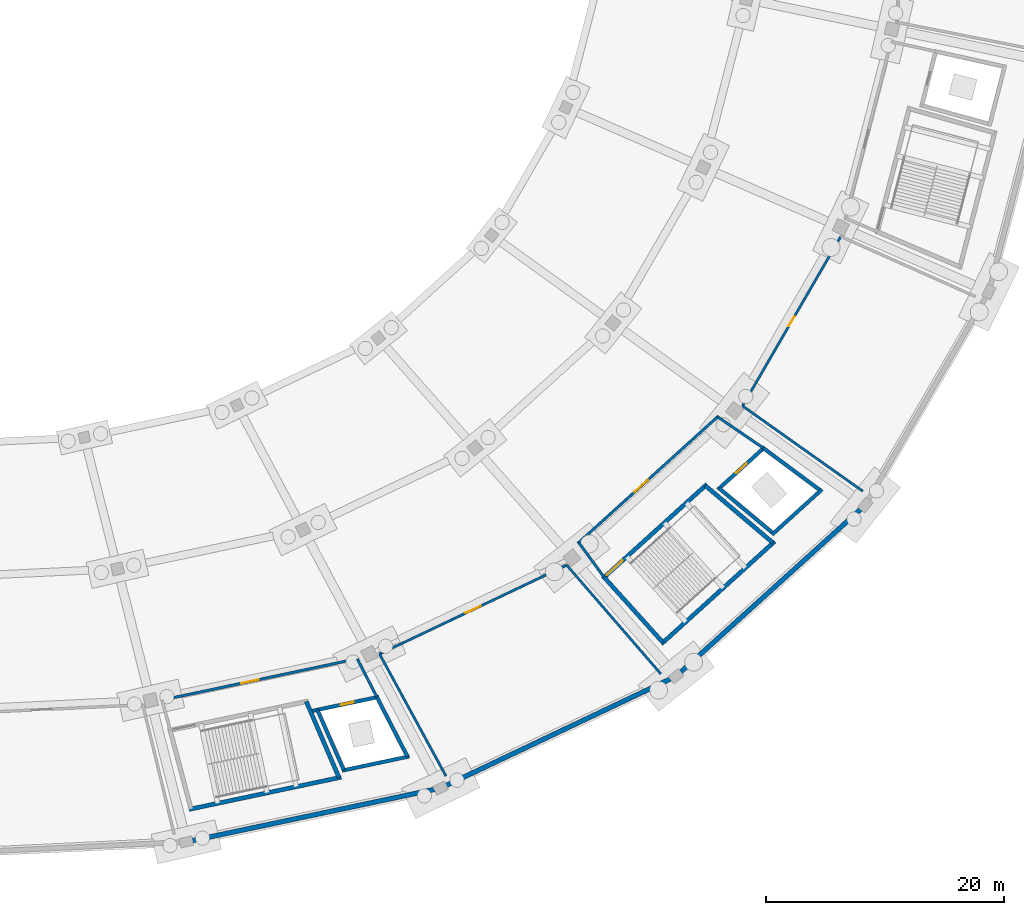
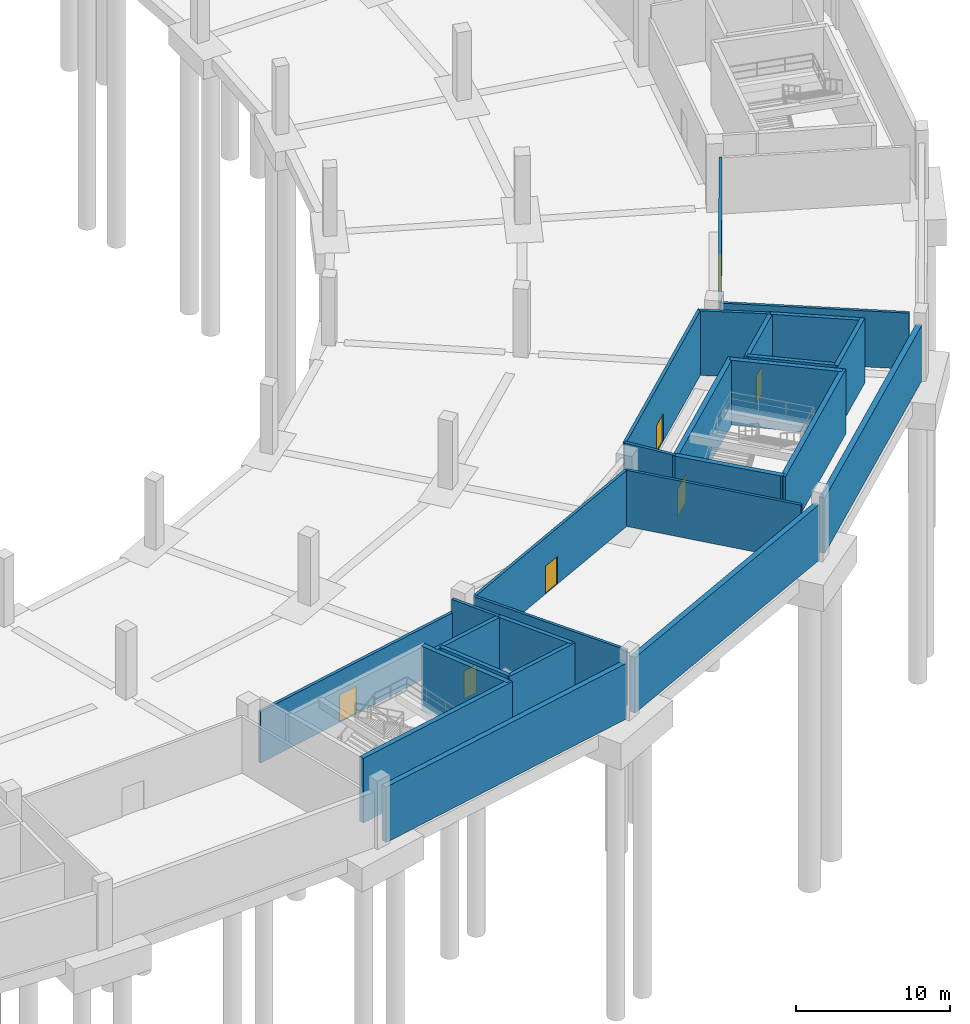
# One storey, part 13 of 49: 27 walls, 7 doors, 7 openings.
"""IFC4 building model written with IfcOpenShell, lengths in metres."""

import ifcopenshell
import ifcopenshell.guid

model = None  # the IFC model being written
_history = None  # IfcOwnerHistory: only IFC2X3 demands one
_inside = {}  # id of a spatial element -> (the spatial element, [elements in it])
_under = {}  # id of a project, library or spatial element -> (it, [spatial elements below it])
_declared = {}  # id of a project -> (the project, [libraries it declares])
_typed = {}  # id of a type object -> (the type object, [elements of that type])
_made_of = {}  # id of a material, layer set ... -> (it, [elements and type objects made of it])


def new_model(schema):
    """Start an empty IFC model of exactly this schema.

    Asked for "IFC4X3", IfcOpenShell would pick the latest addendum, in which some entities
    have other attributes; the version numbers below select the first issue.
    IFC2X3 requires an IfcOwnerHistory on every rooted entity: one is made here for all.
    """
    global model, _history
    if schema == "IFC4X3":
        model = ifcopenshell.file(schema_version=(4, 3, 0, 0))
    else:
        model = ifcopenshell.file(schema=schema)
    _inside.clear()
    _under.clear()
    _declared.clear()
    _typed.clear()
    _made_of.clear()
    _history = None
    if model.schema == "IFC2X3":
        org = make("IfcOrganization", Name="unknown")
        user = make(
            "IfcPersonAndOrganization",
            ThePerson=make("IfcPerson", FamilyName="unknown"),
            TheOrganization=org,
        )
        app = make(
            "IfcApplication",
            ApplicationDeveloper=org,
            Version="unknown",
            ApplicationFullName="unknown",
            ApplicationIdentifier="unknown",
        )
        _history = make(
            "IfcOwnerHistory",
            OwningUser=user,
            OwningApplication=app,
            ChangeAction="ADDED",
            CreationDate=0,
        )
    return model


def make(cls, **values):
    """One entity of the class cls with the attributes given. An attribute that is None is left unset."""
    return model.create_entity(
        cls, **{name: value for name, value in values.items() if value is not None}
    )


def rooted(cls, **values):
    """An entity with a GlobalId (a new one), such as an element, a storey or a relation."""
    return make(cls, GlobalId=ifcopenshell.guid.new(), OwnerHistory=_history, **values)


def si_unit(unit_type, name, prefix=None):
    """IfcSIUnit, for example si_unit("LENGTHUNIT", "METRE", prefix="MILLI")."""
    return make("IfcSIUnit", UnitType=unit_type, Prefix=prefix, Name=name)


def assignment(units):
    """IfcUnitAssignment: the units of a project."""
    return None if units is None else make("IfcUnitAssignment", Units=units)


def point(xyz):
    """IfcCartesianPoint."""
    return None if xyz is None else make("IfcCartesianPoint", Coordinates=xyz)


def direction(xyz):
    """IfcDirection."""
    return None if xyz is None else make("IfcDirection", DirectionRatios=xyz)


def frame(location, z_axis=None, x_axis=None):
    """IfcAxis2Placement3D, a coordinate frame: its origin and axes. An axis left out is left unset."""
    return make(
        "IfcAxis2Placement3D",
        Location=point(location),
        Axis=direction(z_axis),
        RefDirection=direction(x_axis),
    )


def frame_2d(location, x_axis=None):
    """IfcAxis2Placement2D, a coordinate frame in the plane: its origin and x axis."""
    return make(
        "IfcAxis2Placement2D", Location=point(location), RefDirection=direction(x_axis)
    )


def origin():
    """The frame at (0, 0, 0) with its axes left unset."""
    return frame((0.0, 0.0, 0.0))


def place(relative_to, where):
    """IfcLocalPlacement: puts the frame where relative to a parent placement (None: the world)."""
    return make(
        "IfcLocalPlacement", PlacementRelTo=relative_to, RelativePlacement=where
    )


def context(
    kind, dimensions, precision=None, world=None, true_north=None, identifier=None
):
    """IfcGeometricRepresentationContext, for example the 3D "Model" context."""
    return make(
        "IfcGeometricRepresentationContext",
        ContextIdentifier=identifier,
        ContextType=kind,
        CoordinateSpaceDimension=dimensions,
        Precision=precision,
        WorldCoordinateSystem=world,
        TrueNorth=true_north,
    )


def subcontext(parent, identifier, kind, view, scale=None):
    """IfcGeometricRepresentationSubContext, for example "Body" below "Model"."""
    return make(
        "IfcGeometricRepresentationSubContext",
        ContextIdentifier=identifier,
        ContextType=kind,
        ParentContext=parent,
        TargetScale=scale,
        TargetView=view,
    )


def project(units=None, contexts=None):
    """IfcProject with its units and contexts."""
    return rooted(
        "IfcProject",
        Name="project",
        RepresentationContexts=contexts,
        UnitsInContext=assignment(units),
    )


def spatial(cls, under=None, at=None, **own):
    """A site, building, storey or space (cls), placed at a placement, below another one or the project."""
    s = rooted(cls, ObjectPlacement=at, **own)
    if under is not None:
        _under.setdefault(under.id(), (under, []))[1].append(s)
    return s


def profile(cls, at=None, kind="AREA", **sizes):
    """A parametric profile (cls). Its sizes go by their IFC names, for example OverallWidth=200.0."""
    return make(cls, ProfileType=kind, Position=at, **sizes)


def rectangle(**sizes):
    """IfcRectangleProfileDef."""
    return profile("IfcRectangleProfileDef", **sizes)


def extrude(swept, where, along, depth):
    """IfcExtrudedAreaSolid: the profile swept, set in the frame where, extruded along a direction by depth."""
    return make(
        "IfcExtrudedAreaSolid",
        SweptArea=swept,
        Position=where,
        ExtrudedDirection=direction(along),
        Depth=depth,
    )


def shape(context_of_items, identifier, shape_type, items):
    """IfcShapeRepresentation: the items that make up one representation, for example the "Body"."""
    return make(
        "IfcShapeRepresentation",
        ContextOfItems=context_of_items,
        RepresentationIdentifier=identifier,
        RepresentationType=shape_type,
        Items=items,
    )


def material(Name=None, Category=None):
    """IfcMaterial."""
    return make("IfcMaterial", Name=Name, Category=Category)


def layer(
    of_material, thickness, ventilated=None, Name=None, Category=None, Priority=None
):
    """IfcMaterialLayer: one layer of a wall or slab, of a material (None: an air gap)."""
    return make(
        "IfcMaterialLayer",
        Material=of_material,
        LayerThickness=thickness,
        IsVentilated=ventilated,
        Name=Name,
        Category=Category,
        Priority=Priority,
    )


def layer_set(layers, Name=None):
    """IfcMaterialLayerSet."""
    return make("IfcMaterialLayerSet", MaterialLayers=layers, LayerSetName=Name)


def made_of(thing, what):
    """Note that an element or type object is made of a material, layer set ...; save() writes the relation."""
    if what is not None:
        _made_of.setdefault(what.id(), (what, []))[1].append(thing)
    return thing


def type_object(cls, material=None, **own):
    """A type object (cls), such as IfcWallType, which elements share."""
    return made_of(rooted(cls, **own), material)


def element(
    cls,
    number,
    at=None,
    inside=None,
    cuts=None,
    type_object=None,
    material=None,
    context=None,
    identifier="Body",
    shape_type=None,
    held_by="IfcProductDefinitionShape",
    body=None,
    shapes=None,
    **own,
):
    """One element of the class cls, such as IfcWall. Its Tag is "e" and its number.

    at: its placement. inside: the storey or other place that contains it. cuts: it is an
    opening in that element (IfcRelVoidsElement). A single representation is given by context,
    identifier, shape_type and body (its items); several are given by shapes. held_by: the class
    of the entity that holds the representations. save() writes the other relations.
    """
    e = rooted(cls, Tag="e%d" % number, ObjectPlacement=at, **own)
    if body is not None:
        shapes = [shape(context, identifier, shape_type, body)]
    if shapes is not None:
        e.Representation = make(held_by, Representations=shapes)
    if inside is not None:
        _inside.setdefault(inside.id(), (inside, []))[1].append(e)
    if cuts is not None:
        rooted(
            "IfcRelVoidsElement", RelatingBuildingElement=cuts, RelatedOpeningElement=e
        )
    if type_object is not None:
        _typed.setdefault(type_object.id(), (type_object, []))[1].append(e)
    return made_of(e, material)


def fill(opening, filler):
    """IfcRelFillsElement: the door or window that sits in an opening."""
    return rooted(
        "IfcRelFillsElement",
        RelatingOpeningElement=opening,
        RelatedBuildingElement=filler,
    )


def aggregate(whole, parts):
    """IfcRelAggregates: a whole, such as a stair, and the parts it consists of."""
    return rooted("IfcRelAggregates", RelatingObject=whole, RelatedObjects=parts)


def save(model, path):
    """Write the relations noted so far, then the file.

    IfcRelAggregates (storeys below a building ...), IfcRelContainedInSpatialStructure (elements
    in a storey), IfcRelDefinesByType, IfcRelAssociatesMaterial and IfcRelDeclares: one each for
    every whole, place, type object, material and project.
    """
    for whole, parts in _under.values():
        aggregate(whole, parts)
    for where, things in _inside.values():
        rooted(
            "IfcRelContainedInSpatialStructure",
            RelatedElements=things,
            RelatingStructure=where,
        )
    for kind, things in _typed.values():
        rooted("IfcRelDefinesByType", RelatedObjects=things, RelatingType=kind)
    for what, things in _made_of.values():
        rooted("IfcRelAssociatesMaterial", RelatedObjects=things, RelatingMaterial=what)
    for by, libraries in _declared.values():
        rooted("IfcRelDeclares", RelatingContext=by, RelatedDefinitions=libraries)
    model.write(path)


model = new_model("IFC4")

# Units and contexts
model_context = context("Model", 3, precision=1e-05, world=origin(), true_north=direction((0.0, 1.0)))
body_context = subcontext(model_context, "Body", "Model", "MODEL_VIEW")
ifc_project = project(units=[si_unit("LENGTHUNIT", "METRE"), si_unit("AREAUNIT", "SQUARE_METRE"), si_unit("VOLUMEUNIT", "CUBIC_METRE"), si_unit("PLANEANGLEUNIT", "RADIAN"), si_unit("MASSUNIT", "GRAM", prefix="KILO")], contexts=[model_context])

# Site, building, storey
site_placement = place(None, origin())
site = spatial("IfcSite", under=ifc_project, at=site_placement, CompositionType="ELEMENT")
building_placement = place(site_placement, origin())
building = spatial("IfcBuilding", under=site, at=building_placement, Name="Kazemori Nagisa Stadium", CompositionType="ELEMENT")
storey_placement = place(building_placement, frame((0.0, 0.0, -5.43994140625)))
storey = spatial("IfcBuildingStorey", under=building, at=storey_placement, Name="B1", CompositionType="ELEMENT", Elevation=-5.43994140625)

# Walls
ifc_material_1 = material(Name="Concrete C40/50 (Fc42)", Category="concrete")
ifc_layer_1 = layer(ifc_material_1, 0.39990234375, Name="Concrete C40/50 (Fc42)", Category="concrete")
ifc_layer_set_1 = layer_set([ifc_layer_1], Name="Concrete C40/50 (Fc42)")
wall_type_1 = type_object("IfcWallType", Name="Wall_W-B1-RET-400", PredefinedType="SOLIDWALL", material=ifc_layer_set_1)
wall_1_placement = place(storey_placement, frame((144.809326171875, 17.093994140625, 0.0), z_axis=(0.0, 0.0, 1.0), x_axis=(0.978345100851, 0.206980346028, 0.0)))
element("IfcWall", 1, at=wall_1_placement, inside=storey, type_object=wall_type_1, Name="Basement perimeter retaining wall B1-23", PredefinedType="SOLIDWALL", context=body_context, shape_type="SweptSolid", body=[
    extrude(rectangle(XDim=21.070068359375, YDim=0.39990234375, at=frame_2d((10.53515625, 0.0))), origin(), (0.0, 0.0, 1.0), 4.419921875),
])
wall_2_placement = place(storey_placement, frame((166.156982421875, 21.703125, 0.0), z_axis=(0.0, 0.0, 1.0), x_axis=(0.903214032263, 0.429190414528, 0.0)))
element("IfcWall", 2, at=wall_2_placement, inside=storey, type_object=wall_type_1, Name="Basement perimeter retaining wall B1-24", PredefinedType="SOLIDWALL", context=body_context, shape_type="SweptSolid", body=[
    extrude(rectangle(XDim=21.134033203125, YDim=0.39990234375, at=frame_2d((10.56689453125, 0.0))), origin(), (0.0, 0.0, 1.0), 4.419921875),
])
wall_3_placement = place(storey_placement, frame((185.88720703125, 31.202880859375, 0.0), z_axis=(0.0, 0.0, 1.0), x_axis=(0.741354093053, 0.671114080253, 0.0)))
element("IfcWall", 3, at=wall_3_placement, inside=storey, type_object=wall_type_1, Name="Basement perimeter retaining wall B1-25", PredefinedType="SOLIDWALL", context=body_context, shape_type="SweptSolid", body=[
    extrude(rectangle(XDim=20.66357421875, YDim=0.39990234375, at=frame_2d((10.331787109375, 0.0))), origin(), (0.0, 0.0, 1.0), 4.419921875),
])
ifc_layer_2 = layer(ifc_material_1, 0.35009765625, Name="Concrete C40/50 (Fc42)", Category="concrete")
ifc_layer_set_2 = layer_set([ifc_layer_2], Name="Concrete C40/50 (Fc42)")
wall_type_2 = type_object("IfcWallType", Name="Wall_W-CORE-350", PredefinedType="SHEAR", material=ifc_layer_set_2)
wall_4_placement = place(storey_placement, frame((144.650390625, 19.745849609375, 0.0), z_axis=(0.0, 0.0, 1.0), x_axis=(0.978345119536, 0.206980257705, 0.0)))
element("IfcWall", 4, at=wall_4_placement, inside=storey, type_object=wall_type_2, Name="Core stair rear shear wall ST06 B1", PredefinedType="SHEAR", context=body_context, shape_type="SweptSolid", body=[
    extrude(rectangle(XDim=13.06689453125, YDim=0.35009765625, at=frame_2d((6.533447265625, 0.0))), origin(), (0.0, 0.0, 1.0), 5.139892578125),
])
wall_5_placement = place(storey_placement, frame((154.5078125, 28.81396484375, 0.0), z_axis=(0.0, 0.0, 1.0), x_axis=(0.395453834155, -0.918485854574, 0.0)))
element("IfcWall", 5, at=wall_5_placement, inside=storey, type_object=wall_type_2, Name="Core stair right shear wall ST06 B1", PredefinedType="SHEAR", context=body_context, shape_type="SweptSolid", body=[
    extrude(rectangle(XDim=6.967529296875, YDim=0.35009765625, at=frame_2d((3.48388671875, 0.0))), origin(), (0.0, 0.0, 1.0), 5.139892578125),
])

# Wall, opening, door
wall_6_placement = place(storey_placement, frame((179.416748046875, 39.139892578125, 0.0), z_axis=(0.0, 0.0, 1.0), x_axis=(0.741348929385, 0.671119784315, 0.0)))
wall_6 = element("IfcWall", 6, at=wall_6_placement, inside=storey, type_object=wall_type_2, Name="Core stair front shear wall ST04 B1", PredefinedType="SHEAR", context=body_context, shape_type="SweptSolid", body=[
    extrude(rectangle(XDim=11.826416015625, YDim=0.35009765625, at=frame_2d((5.9130859375, 0.0))), origin(), (0.0, 0.0, 1.0), 5.139892578125),
])
opening_1_placement = place(wall_6_placement, frame((0.47509765625, 0.0, 0.0)))
opening_1 = element("IfcOpeningElement", 7, at=opening_1_placement, cuts=wall_6, Name="Opening D-ST-1800", PredefinedType="OPENING", context=body_context, shape_type="SweptSolid", body=[
    extrude(rectangle(XDim=1.800048828125, YDim=2.199951171875, at=frame_2d((0.89990234375, 1.10009765625))), frame((0.0, 0.18505859375, 0.0), z_axis=(0.0, -1.0, 0.0), x_axis=(1.0, 0.0, 0.0)), (0.0, 0.0, 1.0), 0.3701171875),
])
ifc_material_2 = material(Name="Galvanised steel sheet", Category="steel")
door_type_1 = type_object("IfcDoorType", Name="Door_D-ST-1800", OperationType="NOTDEFINED", PredefinedType="DOOR", material=ifc_material_2)
door_1_placement = place(opening_1_placement, frame((1.800048828125, 0.0, 0.0), z_axis=(0.0, 0.0, 1.0), x_axis=(-1.0, 0.0, 0.0)))
door_1 = element("IfcDoor", 8, at=door_1_placement, inside=storey, type_object=door_type_1, Name="Exit stair fire door ST04-B1", OperationType="SINGLE_SWING_RIGHT", OverallHeight=2.199951171875, OverallWidth=1.800048828125, PredefinedType="DOOR", context=body_context, shape_type="SweptSolid", body=[
    extrude(rectangle(XDim=1.800048828125, YDim=2.199951171875, at=frame_2d((0.89990234375, 1.10009765625))), frame((0.0, 0.02490234375, 0.0), z_axis=(0.0, -1.0, 0.0), x_axis=(1.0, 0.0, 0.0)), (0.0, 0.0, 1.0), 0.050048828125),
])
fill(opening_1, door_1)

# Walls
wall_7_placement = place(storey_placement, frame((184.361328125, 33.6533203125, 0.0), z_axis=(0.0, 0.0, 1.0), x_axis=(0.741351373721, 0.671117084183, 0.0)))
element("IfcWall", 9, at=wall_7_placement, inside=storey, type_object=wall_type_2, Name="Core stair rear shear wall ST04 B1", PredefinedType="SHEAR", context=body_context, shape_type="SweptSolid", body=[
    extrude(rectangle(XDim=12.830322265625, YDim=0.35009765625, at=frame_2d((6.4150390625, 0.0))), origin(), (0.0, 0.0, 1.0), 5.139892578125),
])
wall_8_placement = place(storey_placement, frame((179.54638671875, 39.25732421875, 0.0), z_axis=(0.0, 0.0, 1.0), x_axis=(0.669463145673, -0.742845270958, 0.0)))
element("IfcWall", 10, at=wall_8_placement, inside=storey, type_object=wall_type_2, Name="Core stair left shear wall ST04 B1", PredefinedType="SHEAR", context=body_context, shape_type="SweptSolid", body=[
    extrude(rectangle(XDim=7.385986328125, YDim=0.35009765625, at=frame_2d((3.69287109375, 0.0))), origin(), (0.0, 0.0, 1.0), 5.139892578125),
])
wall_9_placement = place(storey_placement, frame((188.0546875, 46.95947265625, 0.0), z_axis=(0.0, 0.0, 1.0), x_axis=(0.763422324031, -0.64589964791, 0.0)))
element("IfcWall", 11, at=wall_9_placement, inside=storey, type_object=wall_type_2, Name="Core stair right shear wall ST04 B1", PredefinedType="SHEAR", context=body_context, shape_type="SweptSolid", body=[
    extrude(rectangle(XDim=7.45166015625, YDim=0.35009765625, at=frame_2d((3.725830078125, 0.0))), origin(), (0.0, 0.0, 1.0), 5.139892578125),
])

# Wall, opening, door
ifc_material_3 = material(Name="Concrete C36/45 (Fc36)", Category="concrete")
ifc_layer_3 = layer(ifc_material_3, 0.219970703125, Name="Concrete C36/45 (Fc36)", Category="concrete")
ifc_layer_set_3 = layer_set([ifc_layer_3], Name="Concrete C36/45 (Fc36)")
wall_type_3 = type_object("IfcWallType", Name="Wall_W-LOBBY-220", PredefinedType="SOLIDWALL", material=ifc_layer_set_3)
wall_10_placement = place(storey_placement, frame((142.284423828125, 28.91357421875, 0.0), z_axis=(0.0, 0.0, 1.0), x_axis=(0.97834522483, 0.206979760008, 0.0)))
wall_10 = element("IfcWall", 12, at=wall_10_placement, inside=storey, type_object=wall_type_3, Name="Core lobby fire wall ST06 B1", PredefinedType="SOLIDWALL", context=body_context, shape_type="SweptSolid", body=[
    extrude(rectangle(XDim=16.98291015625, YDim=0.219970703125, at=frame_2d((8.491455078125, 0.0))), origin(), (0.0, 0.0, 1.0), 4.087890625),
])
opening_2_placement = place(wall_10_placement, frame((6.903076171875, 0.0, 0.0)))
opening_2 = element("IfcOpeningElement", 13, at=opening_2_placement, cuts=wall_10, Name="Opening D-FFL-1500", PredefinedType="OPENING", context=body_context, shape_type="SweptSolid", body=[
    extrude(rectangle(XDim=1.5, YDim=2.199951171875, at=frame_2d((0.75, 1.10009765625))), frame((0.0, 0.119873046875, 0.0), z_axis=(0.0, -1.0, 0.0), x_axis=(1.0, 0.0, 0.0)), (0.0, 0.0, 1.0), 0.239990234375),
])
door_type_2 = type_object("IfcDoorType", Name="Door_D-FFL-1500", OperationType="NOTDEFINED", PredefinedType="DOOR", material=ifc_material_2)
door_2_placement = place(opening_2_placement, frame((1.5, 0.0, 0.0), z_axis=(0.0, 0.0, 1.0), x_axis=(-1.0, 0.0, 0.0)))
door_2 = element("IfcDoor", 14, at=door_2_placement, inside=storey, type_object=door_type_2, Name="Protected lobby fire door ST06-B1", OperationType="DOUBLE_DOOR_SINGLE_SWING", OverallHeight=2.199951171875, OverallWidth=1.5, PredefinedType="DOOR", context=body_context, shape_type="SweptSolid", body=[
    extrude(rectangle(XDim=1.5, YDim=2.199951171875, at=frame_2d((0.75, 1.10009765625))), frame((0.0, 0.02490234375, 0.0), z_axis=(0.0, -1.0, 0.0), x_axis=(1.0, 0.0, 0.0)), (0.0, 0.0, 1.0), 0.050048828125),
])
fill(opening_2, door_2)

# Wall
wall_11_placement = place(storey_placement, frame((158.7919921875, 32.406005859375, 0.0), z_axis=(0.0, 0.0, 1.0), x_axis=(0.457349531643, -0.889287021105, 0.0)))
element("IfcWall", 15, at=wall_11_placement, inside=storey, type_object=wall_type_3, Name="Core lobby right wall ST06 B1", PredefinedType="SOLIDWALL", context=body_context, shape_type="SweptSolid", body=[
    extrude(rectangle(XDim=3.631591796875, YDim=0.219970703125, at=frame_2d((1.81591796875, 0.0))), origin(), (0.0, 0.0, 1.0), 5.139892578125),
])

# Wall, opening, door
wall_12_placement = place(storey_placement, frame((177.327392578125, 42.10205078125, 0.0), z_axis=(0.0, 0.0, 1.0), x_axis=(0.741351035574, 0.671117457717, 0.0)))
wall_12 = element("IfcWall", 16, at=wall_12_placement, inside=storey, type_object=wall_type_3, Name="Core lobby fire wall ST04 B1", PredefinedType="SOLIDWALL", context=body_context, shape_type="SweptSolid", body=[
    extrude(rectangle(XDim=15.96923828125, YDim=0.219970703125, at=frame_2d((7.984619140625, 0.0))), origin(), (0.0, 0.0, 1.0), 5.139892578125),
])
opening_3_placement = place(wall_12_placement, frame((6.447021484375, 0.0, 0.0)))
opening_3 = element("IfcOpeningElement", 17, at=opening_3_placement, cuts=wall_12, Name="Opening D-FFL-1500", PredefinedType="OPENING", context=body_context, shape_type="SweptSolid", body=[
    extrude(rectangle(XDim=1.5, YDim=2.199951171875, at=frame_2d((0.75, 1.10009765625))), frame((0.0, 0.119873046875, 0.0), z_axis=(0.0, -1.0, 0.0), x_axis=(1.0, 0.0, 0.0)), (0.0, 0.0, 1.0), 0.239990234375),
])
door_3_placement = place(opening_3_placement, frame((1.5, 0.0, 0.0), z_axis=(0.0, 0.0, 1.0), x_axis=(-1.0, 0.0, 0.0)))
door_3 = element("IfcDoor", 18, at=door_3_placement, inside=storey, type_object=door_type_2, Name="Protected lobby fire door ST04-B1", OperationType="DOUBLE_DOOR_SINGLE_SWING", OverallHeight=2.199951171875, OverallWidth=1.5, PredefinedType="DOOR", context=body_context, shape_type="SweptSolid", body=[
    extrude(rectangle(XDim=1.5, YDim=2.199951171875, at=frame_2d((0.75, 1.10009765625))), frame((0.0, 0.02490234375, 0.0), z_axis=(0.0, -1.0, 0.0), x_axis=(1.0, 0.0, 0.0)), (0.0, 0.0, 1.0), 0.050048828125),
])
fill(opening_3, door_3)

# Walls
wall_13_placement = place(storey_placement, frame((177.408935546875, 42.176025390625, 0.0), z_axis=(0.0, 0.0, 1.0), x_axis=(0.590836915359, -0.806791013491, 0.0)))
element("IfcWall", 19, at=wall_13_placement, inside=storey, type_object=wall_type_3, Name="Core lobby left wall ST04 B1", PredefinedType="SOLIDWALL", context=body_context, shape_type="SweptSolid", body=[
    extrude(rectangle(XDim=3.61767578125, YDim=0.219970703125, at=frame_2d((1.808837890625, 0.0))), origin(), (0.0, 0.0, 1.0), 5.139892578125),
])
wall_14_placement = place(storey_placement, frame((189.084716796875, 52.74560546875, 0.0), z_axis=(0.0, 0.0, 1.0), x_axis=(0.825385410642, -0.564569680287, 0.0)))
element("IfcWall", 20, at=wall_14_placement, inside=storey, type_object=wall_type_3, Name="Core lobby right wall ST04 B1", PredefinedType="SOLIDWALL", context=body_context, shape_type="SweptSolid", body=[
    extrude(rectangle(XDim=4.673828125, YDim=0.219970703125, at=frame_2d((2.3369140625, 0.0))), origin(), (0.0, 0.0, 1.0), 5.139892578125),
])

# Wall, opening, door
ifc_material_4 = material(Name="Autoclaved aerated concrete blockwork", Category="masonry")
ifc_layer_4 = layer(ifc_material_4, 0.199951171875, Name="Autoclaved aerated concrete blockwork", Category="masonry")
ifc_layer_set_4 = layer_set([ifc_layer_4], Name="Autoclaved aerated concrete blockwork")
wall_type_4 = type_object("IfcWallType", Name="Wall_W-PART-200", PredefinedType="PARTITIONING", material=ifc_layer_set_4)
wall_15_placement = place(storey_placement, frame((160.667236328125, 32.803955078125, 0.0), z_axis=(0.0, 0.0, 1.0), x_axis=(0.903217202186, 0.429183743488, 0.0)))
wall_15 = element("IfcWall", 21, at=wall_15_placement, inside=storey, type_object=wall_type_4, Name="Room corridor partition B1-B24", PredefinedType="PARTITIONING", context=body_context, shape_type="SweptSolid", body=[
    extrude(rectangle(XDim=17.419189453125, YDim=0.199951171875, at=frame_2d((8.70947265625, 0.0))), origin(), (0.0, 0.0, 1.0), 4.4599609375),
])
opening_4_placement = place(wall_15_placement, frame((8.010009765625, 0.0, 0.0)))
opening_4 = element("IfcOpeningElement", 22, at=opening_4_placement, cuts=wall_15, Name="Opening D-PL-1400", PredefinedType="OPENING", context=body_context, shape_type="SweptSolid", body=[
    extrude(rectangle(XDim=1.39990234375, YDim=2.199951171875, at=frame_2d((0.699951171875, 1.10009765625))), frame((0.0, 0.10986328125, 0.0), z_axis=(0.0, -1.0, 0.0), x_axis=(1.0, 0.0, 0.0)), (0.0, 0.0, 1.0), 0.219970703125),
])
door_type_3 = type_object("IfcDoorType", Name="Door_D-PL-1400", OperationType="NOTDEFINED", PredefinedType="DOOR", material=ifc_material_2)
door_4_placement = place(opening_4_placement, origin())
door_4 = element("IfcDoor", 23, at=door_4_placement, inside=storey, type_object=door_type_3, Name="Room entrance door D-PL-1400 B1-B24", OperationType="SINGLE_SWING_LEFT", OverallHeight=2.199951171875, OverallWidth=1.39990234375, PredefinedType="DOOR", context=body_context, shape_type="SweptSolid", body=[
    extrude(rectangle(XDim=1.39990234375, YDim=2.199951171875, at=frame_2d((0.699951171875, 1.10009765625))), frame((0.0, 0.02490234375, 0.0), z_axis=(0.0, -1.0, 0.0), x_axis=(1.0, 0.0, 0.0)), (0.0, 0.0, 1.0), 0.050048828125),
])
fill(opening_4, door_4)

# Walls
wall_16_placement = place(storey_placement, frame((160.667236328125, 32.803955078125, 0.0), z_axis=(0.0, 0.0, 1.0), x_axis=(0.478125060974, -0.878291765912, 0.0)))
element("IfcWall", 24, at=wall_16_placement, inside=storey, type_object=wall_type_4, Name="Room radial partition B1-B24-L", PredefinedType="PARTITIONING", context=body_context, shape_type="SweptSolid", body=[
    extrude(rectangle(XDim=11.671875, YDim=0.199951171875, at=frame_2d((5.8359375, 0.0))), origin(), (0.0, 0.0, 1.0), 4.4599609375),
])
wall_17_placement = place(storey_placement, frame((176.400634765625, 40.280029296875, 0.0), z_axis=(0.0, 0.0, 1.0), x_axis=(0.654293035882, -0.756241114458, 0.0)))
element("IfcWall", 25, at=wall_17_placement, inside=storey, type_object=wall_type_4, Name="Room radial partition B1-B24-R", PredefinedType="PARTITIONING", context=body_context, shape_type="SweptSolid", body=[
    extrude(rectangle(XDim=12.091064453125, YDim=0.199951171875, at=frame_2d((6.04541015625, 0.0))), origin(), (0.0, 0.0, 1.0), 4.4599609375),
])

# Wall, opening, door
wall_18_placement = place(storey_placement, frame((191.178955078125, 53.658447265625, 0.0), z_axis=(0.0, 0.0, 1.0), x_axis=(0.501617777052, 0.865089362867, 0.0)))
wall_18 = element("IfcWall", 26, at=wall_18_placement, inside=storey, type_object=wall_type_4, Name="Room corridor partition B1-B26", PredefinedType="PARTITIONING", context=body_context, shape_type="SweptSolid", body=[
    extrude(rectangle(XDim=16.4638671875, YDim=0.199951171875, at=frame_2d((8.23193359375, 0.0))), origin(), (0.0, 0.0, 1.0), 4.4599609375),
])
opening_5_placement = place(wall_18_placement, frame((7.741943359375, 0.0, 0.0)))
opening_5 = element("IfcOpeningElement", 27, at=opening_5_placement, cuts=wall_18, Name="Opening D-DOP-980", PredefinedType="OPENING", context=body_context, shape_type="SweptSolid", body=[
    extrude(rectangle(XDim=0.97998046875, YDim=2.14990234375, at=frame_2d((0.489990234375, 1.074951171875))), frame((0.0, 0.10986328125, 0.0), z_axis=(0.0, -1.0, 0.0), x_axis=(1.0, 0.0, 0.0)), (0.0, 0.0, 1.0), 0.219970703125),
])
door_type_4 = type_object("IfcDoorType", Name="Door_D-DOP-980", OperationType="NOTDEFINED", PredefinedType="DOOR", material=ifc_material_2)
door_5_placement = place(opening_5_placement, origin())
door_5 = element("IfcDoor", 28, at=door_5_placement, inside=storey, type_object=door_type_4, Name="Room entrance door D-DOP-980 B1-B26", OperationType="SINGLE_SWING_RIGHT", OverallHeight=2.14990234375, OverallWidth=0.97998046875, PredefinedType="DOOR", context=body_context, shape_type="SweptSolid", body=[
    extrude(rectangle(XDim=0.97998046875, YDim=2.14990234375, at=frame_2d((0.489990234375, 1.074951171875))), frame((0.0, 0.02490234375, 0.0), z_axis=(0.0, -1.0, 0.0), x_axis=(1.0, 0.0, 0.0)), (0.0, 0.0, 1.0), 0.050048828125),
])
fill(opening_5, door_5)

# Wall
wall_19_placement = place(storey_placement, frame((191.178955078125, 53.658447265625, 0.0), z_axis=(0.0, 0.0, 1.0), x_axis=(0.815753527099, -0.578399674122, 0.0)))
element("IfcWall", 29, at=wall_19_placement, inside=storey, type_object=wall_type_4, Name="Room radial partition B1-B26-L", PredefinedType="PARTITIONING", context=body_context, shape_type="SweptSolid", body=[
    extrude(rectangle(XDim=12.38232421875, YDim=0.199951171875, at=frame_2d((6.191162109375, 0.0))), origin(), (0.0, 0.0, 1.0), 4.4599609375),
])

# Wall, opening, door
ifc_layer_5 = layer(ifc_material_1, 0.300048828125, Name="Concrete C40/50 (Fc42)", Category="concrete")
ifc_layer_set_5 = layer_set([ifc_layer_5], Name="Concrete C40/50 (Fc42)")
wall_type_5 = type_object("IfcWallType", Name="Wall_W-SHAFT-300", PredefinedType="SHEAR", material=ifc_layer_set_5)
wall_20_placement = place(storey_placement, frame((154.999267578125, 28.022705078125, 0.0), z_axis=(0.0, 0.0, 1.0), x_axis=(0.978345218992, 0.206979787601, 0.0)))
wall_20 = element("IfcWall", 30, at=wall_20_placement, inside=storey, type_object=wall_type_5, Name="Lift shaft front wall LP2 B1", PredefinedType="SHEAR", context=body_context, shape_type="SweptSolid", body=[
    extrude(rectangle(XDim=5.724365234375, YDim=0.300048828125, at=frame_2d((2.8623046875, 0.0))), origin(), (0.0, 0.0, 1.0), 5.139892578125),
])
opening_6_placement = place(wall_20_placement, frame((2.4619140625, 0.0, 0.0)))
opening_6 = element("IfcOpeningElement", 31, at=opening_6_placement, cuts=wall_20, Name="Opening LD-PAX", PredefinedType="OPENING", context=body_context, shape_type="SweptSolid", body=[
    extrude(rectangle(XDim=1.10009765625, YDim=2.199951171875, at=frame_2d((0.550048828125, 1.10009765625))), frame((0.0, 0.159912109375, 0.0), z_axis=(0.0, -1.0, 0.0), x_axis=(1.0, 0.0, 0.0)), (0.0, 0.0, 1.0), 0.320068359375),
])
ifc_material_5 = material(Name="Stainless steel SUS304", Category="steel")
door_type_5 = type_object("IfcDoorType", Name="Door_LD-PAX", OperationType="SLIDING_TO_RIGHT", PredefinedType="DOOR", material=ifc_material_5)
door_6_placement = place(opening_6_placement, origin())
door_6 = element("IfcDoor", 32, at=door_6_placement, inside=storey, type_object=door_type_5, Name="Lift landing door LP2-B1", OperationType="SLIDING_TO_RIGHT", OverallHeight=2.199951171875, OverallWidth=1.10009765625, PredefinedType="DOOR", context=body_context, shape_type="SweptSolid", body=[
    extrude(rectangle(XDim=1.10009765625, YDim=2.199951171875, at=frame_2d((0.550048828125, 1.10009765625))), frame((0.0, 0.02490234375, 0.0), z_axis=(0.0, -1.0, 0.0), x_axis=(1.0, 0.0, 0.0)), (0.0, 0.0, 1.0), 0.050048828125),
])
fill(opening_6, door_6)

# Walls
wall_21_placement = place(storey_placement, frame((157.522705078125, 23.00634765625, 0.0), z_axis=(0.0, 0.0, 1.0), x_axis=(0.978347069901, 0.206971038591, 0.0)))
element("IfcWall", 33, at=wall_21_placement, inside=storey, type_object=wall_type_5, Name="Lift shaft B wall LP2 B1", PredefinedType="SHEAR", context=body_context, shape_type="SweptSolid", body=[
    extrude(rectangle(XDim=5.7763671875, YDim=0.300048828125, at=frame_2d((2.88818359375, 0.0))), origin(), (0.0, 0.0, 1.0), 5.139892578125),
])
wall_22_placement = place(storey_placement, frame((155.439697265625, 28.115966796875, 0.0), z_axis=(0.0, 0.0, 1.0), x_axis=(0.402005363577, -0.915637312289, 0.0)))
element("IfcWall", 34, at=wall_22_placement, inside=storey, type_object=wall_type_5, Name="Lift shaft L wall LP2 B1", PredefinedType="SHEAR", context=body_context, shape_type="SweptSolid", body=[
    extrude(rectangle(XDim=5.546630859375, YDim=0.300048828125, at=frame_2d((2.7734375, 0.0))), origin(), (0.0, 0.0, 1.0), 5.139892578125),
])
wall_23_placement = place(storey_placement, frame((160.452880859375, 29.176513671875, 0.0), z_axis=(0.0, 0.0, 1.0), x_axis=(0.457368592987, -0.889277217829, 0.0)))
element("IfcWall", 35, at=wall_23_placement, inside=storey, type_object=wall_type_5, Name="Lift shaft R wall LP2 B1", PredefinedType="SHEAR", context=body_context, shape_type="SweptSolid", body=[
    extrude(rectangle(XDim=5.62890625, YDim=0.300048828125, at=frame_2d((2.814453125, 0.0))), origin(), (0.0, 0.0, 1.0), 5.139892578125),
])

# Wall, opening, door
wall_24_placement = place(storey_placement, frame((189.10302734375, 46.631103515625, 0.0), z_axis=(0.0, 0.0, 1.0), x_axis=(0.741350155641, 0.671118429736, 0.0)))
wall_24 = element("IfcWall", 36, at=wall_24_placement, inside=storey, type_object=wall_type_5, Name="Lift shaft front wall FL4 B1", PredefinedType="SHEAR", context=body_context, shape_type="SweptSolid", body=[
    extrude(rectangle(XDim=5.3291015625, YDim=0.300048828125, at=frame_2d((2.66455078125, 0.0))), origin(), (0.0, 0.0, 1.0), 5.139892578125),
])
opening_7_placement = place(wall_24_placement, frame((2.06494140625, 0.0, 0.0)))
opening_7 = element("IfcOpeningElement", 37, at=opening_7_placement, cuts=wall_24, Name="Opening LD-FF", PredefinedType="OPENING", context=body_context, shape_type="SweptSolid", body=[
    extrude(rectangle(XDim=1.199951171875, YDim=2.199951171875, at=frame_2d((0.60009765625, 1.10009765625))), frame((0.0, 0.159912109375, 0.0), z_axis=(0.0, -1.0, 0.0), x_axis=(1.0, 0.0, 0.0)), (0.0, 0.0, 1.0), 0.320068359375),
])
door_type_6 = type_object("IfcDoorType", Name="Door_LD-FF", OperationType="SLIDING_TO_LEFT", PredefinedType="DOOR", material=ifc_material_5)
door_7_placement = place(opening_7_placement, origin())
door_7 = element("IfcDoor", 38, at=door_7_placement, inside=storey, type_object=door_type_6, Name="Lift landing door FL4-B1", OperationType="SLIDING_TO_LEFT", OverallHeight=2.199951171875, OverallWidth=1.199951171875, PredefinedType="DOOR", context=body_context, shape_type="SweptSolid", body=[
    extrude(rectangle(XDim=1.199951171875, YDim=2.199951171875, at=frame_2d((0.60009765625, 1.10009765625))), frame((0.0, 0.02490234375, 0.0), z_axis=(0.0, -1.0, 0.0), x_axis=(1.0, 0.0, 0.0)), (0.0, 0.0, 1.0), 0.050048828125),
])
fill(opening_7, door_7)

# Walls
wall_25_placement = place(storey_placement, frame((193.654296875, 42.832275390625, 0.0), z_axis=(0.0, 0.0, 1.0), x_axis=(0.74134208775, 0.671127341815, 0.0)))
element("IfcWall", 39, at=wall_25_placement, inside=storey, type_object=wall_type_5, Name="Lift shaft B wall FL4 B1", PredefinedType="SHEAR", context=body_context, shape_type="SweptSolid", body=[
    extrude(rectangle(XDim=5.674560546875, YDim=0.300048828125, at=frame_2d((2.83740234375, 0.0))), origin(), (0.0, 0.0, 1.0), 5.139892578125),
])
wall_26_placement = place(storey_placement, frame((189.214111328125, 46.73193359375, 0.0), z_axis=(0.0, 0.0, 1.0), x_axis=(0.767711354146, -0.640795815151, 0.0)))
element("IfcWall", 40, at=wall_26_placement, inside=storey, type_object=wall_type_5, Name="Lift shaft L wall FL4 B1", PredefinedType="SHEAR", context=body_context, shape_type="SweptSolid", body=[
    extrude(rectangle(XDim=5.9287109375, YDim=0.300048828125, at=frame_2d((2.96435546875, 0.0))), origin(), (0.0, 0.0, 1.0), 5.139892578125),
])
wall_27_placement = place(storey_placement, frame((192.9423828125, 50.10693359375, 0.0), z_axis=(0.0, 0.0, 1.0), x_axis=(0.803101805449, -0.59584183311, 0.0)))
element("IfcWall", 41, at=wall_27_placement, inside=storey, type_object=wall_type_5, Name="Lift shaft R wall FL4 B1", PredefinedType="SHEAR", context=body_context, shape_type="SweptSolid", body=[
    extrude(rectangle(XDim=5.986328125, YDim=0.300048828125, at=frame_2d((2.9931640625, 0.0))), origin(), (0.0, 0.0, 1.0), 5.139892578125),
])

save(model, "model.ifc")
